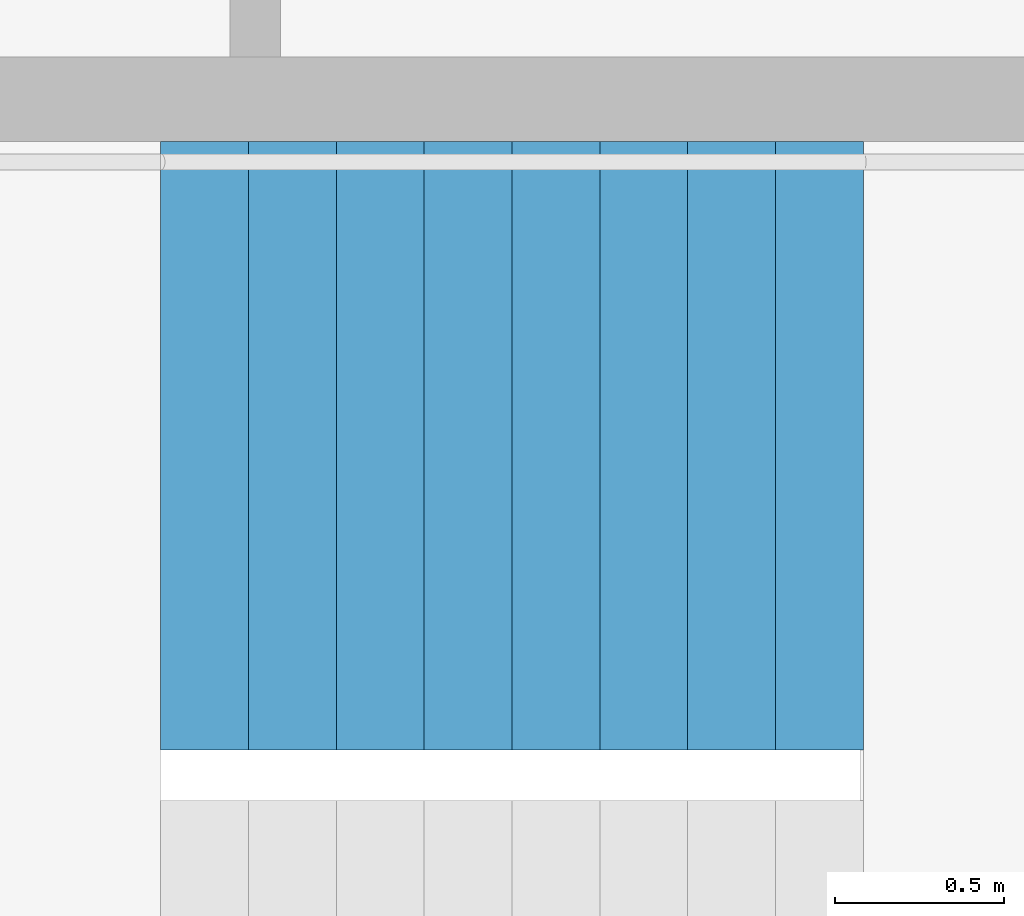
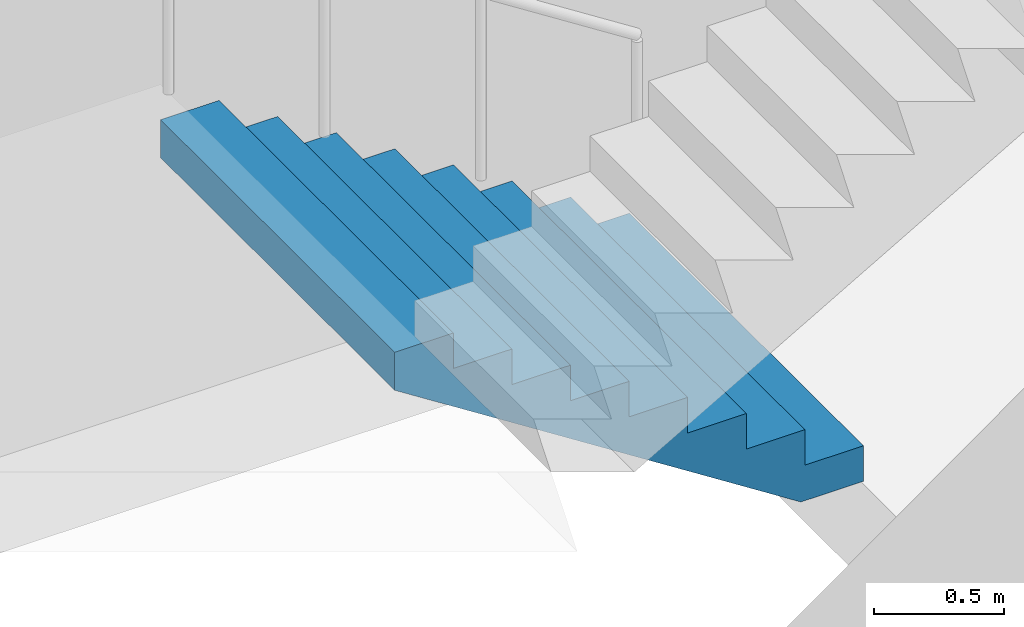
# One storey, part 20 of 35: 1 stair flight, 1 element without a shape of its own.
"""IFC4 building model written with IfcOpenShell, lengths in metres."""

import ifcopenshell
import ifcopenshell.guid

model = None  # the IFC model being written
_history = None  # IfcOwnerHistory: only IFC2X3 demands one
_inside = {}  # id of a spatial element -> (the spatial element, [elements in it])
_under = {}  # id of a project, library or spatial element -> (it, [spatial elements below it])
_declared = {}  # id of a project -> (the project, [libraries it declares])
_typed = {}  # id of a type object -> (the type object, [elements of that type])
_made_of = {}  # id of a material, layer set ... -> (it, [elements and type objects made of it])


def new_model(schema):
    """Start an empty IFC model of exactly this schema.

    Asked for "IFC4X3", IfcOpenShell would pick the latest addendum, in which some entities
    have other attributes; the version numbers below select the first issue.
    IFC2X3 requires an IfcOwnerHistory on every rooted entity: one is made here for all.
    """
    global model, _history
    if schema == "IFC4X3":
        model = ifcopenshell.file(schema_version=(4, 3, 0, 0))
    else:
        model = ifcopenshell.file(schema=schema)
    _inside.clear()
    _under.clear()
    _declared.clear()
    _typed.clear()
    _made_of.clear()
    _history = None
    if model.schema == "IFC2X3":
        org = make("IfcOrganization", Name="unknown")
        user = make(
            "IfcPersonAndOrganization",
            ThePerson=make("IfcPerson", FamilyName="unknown"),
            TheOrganization=org,
        )
        app = make(
            "IfcApplication",
            ApplicationDeveloper=org,
            Version="unknown",
            ApplicationFullName="unknown",
            ApplicationIdentifier="unknown",
        )
        _history = make(
            "IfcOwnerHistory",
            OwningUser=user,
            OwningApplication=app,
            ChangeAction="ADDED",
            CreationDate=0,
        )
    return model


def make(cls, **values):
    """One entity of the class cls with the attributes given. An attribute that is None is left unset."""
    return model.create_entity(
        cls, **{name: value for name, value in values.items() if value is not None}
    )


def rooted(cls, **values):
    """An entity with a GlobalId (a new one), such as an element, a storey or a relation."""
    return make(cls, GlobalId=ifcopenshell.guid.new(), OwnerHistory=_history, **values)


def si_unit(unit_type, name, prefix=None):
    """IfcSIUnit, for example si_unit("LENGTHUNIT", "METRE", prefix="MILLI")."""
    return make("IfcSIUnit", UnitType=unit_type, Prefix=prefix, Name=name)


def assignment(units):
    """IfcUnitAssignment: the units of a project."""
    return None if units is None else make("IfcUnitAssignment", Units=units)


def point(xyz):
    """IfcCartesianPoint."""
    return None if xyz is None else make("IfcCartesianPoint", Coordinates=xyz)


def direction(xyz):
    """IfcDirection."""
    return None if xyz is None else make("IfcDirection", DirectionRatios=xyz)


def frame(location, z_axis=None, x_axis=None):
    """IfcAxis2Placement3D, a coordinate frame: its origin and axes. An axis left out is left unset."""
    return make(
        "IfcAxis2Placement3D",
        Location=point(location),
        Axis=direction(z_axis),
        RefDirection=direction(x_axis),
    )


def origin():
    """The frame at (0, 0, 0) with its axes left unset."""
    return frame((0.0, 0.0, 0.0))


def place(relative_to, where):
    """IfcLocalPlacement: puts the frame where relative to a parent placement (None: the world)."""
    return make(
        "IfcLocalPlacement", PlacementRelTo=relative_to, RelativePlacement=where
    )


def context(
    kind, dimensions, precision=None, world=None, true_north=None, identifier=None
):
    """IfcGeometricRepresentationContext, for example the 3D "Model" context."""
    return make(
        "IfcGeometricRepresentationContext",
        ContextIdentifier=identifier,
        ContextType=kind,
        CoordinateSpaceDimension=dimensions,
        Precision=precision,
        WorldCoordinateSystem=world,
        TrueNorth=true_north,
    )


def subcontext(parent, identifier, kind, view, scale=None):
    """IfcGeometricRepresentationSubContext, for example "Body" below "Model"."""
    return make(
        "IfcGeometricRepresentationSubContext",
        ContextIdentifier=identifier,
        ContextType=kind,
        ParentContext=parent,
        TargetScale=scale,
        TargetView=view,
    )


def project(units=None, contexts=None):
    """IfcProject with its units and contexts."""
    return rooted(
        "IfcProject",
        Name="project",
        RepresentationContexts=contexts,
        UnitsInContext=assignment(units),
    )


def spatial(cls, under=None, at=None, **own):
    """A site, building, storey or space (cls), placed at a placement, below another one or the project."""
    s = rooted(cls, ObjectPlacement=at, **own)
    if under is not None:
        _under.setdefault(under.id(), (under, []))[1].append(s)
    return s


def point_list(points):
    """IfcCartesianPointList2D or 3D."""
    cls = (
        "IfcCartesianPointList2D" if len(points[0]) == 2 else "IfcCartesianPointList3D"
    )
    return make(cls, CoordList=points)


def triangles(points, corners, closed=None, point_numbers=None):
    """IfcTriangulatedFaceSet: each triangle names its three corners, points numbered from 1."""
    return make(
        "IfcTriangulatedFaceSet",
        Coordinates=point_list(points),
        Closed=closed,
        CoordIndex=corners,
        PnIndex=point_numbers,
    )


def shape(context_of_items, identifier, shape_type, items):
    """IfcShapeRepresentation: the items that make up one representation, for example the "Body"."""
    return make(
        "IfcShapeRepresentation",
        ContextOfItems=context_of_items,
        RepresentationIdentifier=identifier,
        RepresentationType=shape_type,
        Items=items,
    )


def material(Name=None, Category=None):
    """IfcMaterial."""
    return make("IfcMaterial", Name=Name, Category=Category)


def made_of(thing, what):
    """Note that an element or type object is made of a material, layer set ...; save() writes the relation."""
    if what is not None:
        _made_of.setdefault(what.id(), (what, []))[1].append(thing)
    return thing


def type_object(cls, material=None, **own):
    """A type object (cls), such as IfcWallType, which elements share."""
    return made_of(rooted(cls, **own), material)


def element(
    cls,
    number,
    at=None,
    inside=None,
    cuts=None,
    type_object=None,
    material=None,
    context=None,
    identifier="Body",
    shape_type=None,
    held_by="IfcProductDefinitionShape",
    body=None,
    shapes=None,
    **own,
):
    """One element of the class cls, such as IfcWall. Its Tag is "e" and its number.

    at: its placement. inside: the storey or other place that contains it. cuts: it is an
    opening in that element (IfcRelVoidsElement). A single representation is given by context,
    identifier, shape_type and body (its items); several are given by shapes. held_by: the class
    of the entity that holds the representations. save() writes the other relations.
    """
    e = rooted(cls, Tag="e%d" % number, ObjectPlacement=at, **own)
    if body is not None:
        shapes = [shape(context, identifier, shape_type, body)]
    if shapes is not None:
        e.Representation = make(held_by, Representations=shapes)
    if inside is not None:
        _inside.setdefault(inside.id(), (inside, []))[1].append(e)
    if cuts is not None:
        rooted(
            "IfcRelVoidsElement", RelatingBuildingElement=cuts, RelatedOpeningElement=e
        )
    if type_object is not None:
        _typed.setdefault(type_object.id(), (type_object, []))[1].append(e)
    return made_of(e, material)


def aggregate(whole, parts):
    """IfcRelAggregates: a whole, such as a stair, and the parts it consists of."""
    return rooted("IfcRelAggregates", RelatingObject=whole, RelatedObjects=parts)


def save(model, path):
    """Write the relations noted so far, then the file.

    IfcRelAggregates (storeys below a building ...), IfcRelContainedInSpatialStructure (elements
    in a storey), IfcRelDefinesByType, IfcRelAssociatesMaterial and IfcRelDeclares: one each for
    every whole, place, type object, material and project.
    """
    for whole, parts in _under.values():
        aggregate(whole, parts)
    for where, things in _inside.values():
        rooted(
            "IfcRelContainedInSpatialStructure",
            RelatedElements=things,
            RelatingStructure=where,
        )
    for kind, things in _typed.values():
        rooted("IfcRelDefinesByType", RelatedObjects=things, RelatingType=kind)
    for what, things in _made_of.values():
        rooted("IfcRelAssociatesMaterial", RelatedObjects=things, RelatingMaterial=what)
    for by, libraries in _declared.values():
        rooted("IfcRelDeclares", RelatingContext=by, RelatedDefinitions=libraries)
    model.write(path)


model = new_model("IFC4")

# Units and contexts
model_context = context("Model", 3, precision=1e-05, world=origin(), true_north=direction((0.0, 1.0)))
body_context = subcontext(model_context, "Body", "Model", "MODEL_VIEW")
ifc_project = project(units=[si_unit("LENGTHUNIT", "METRE"), si_unit("AREAUNIT", "SQUARE_METRE"), si_unit("VOLUMEUNIT", "CUBIC_METRE"), si_unit("PLANEANGLEUNIT", "RADIAN"), si_unit("MASSUNIT", "GRAM", prefix="KILO")], contexts=[model_context])

# Site, building, storey
site_placement = place(None, origin())
site = spatial("IfcSite", under=ifc_project, at=site_placement, CompositionType="ELEMENT")
building_placement = place(site_placement, origin())
building = spatial("IfcBuilding", under=site, at=building_placement, Name="Hakoniwa Tower and Hamabe Station Hall", CompositionType="ELEMENT")
storey_placement = place(building_placement, frame((0.0, 0.0, 270.60009765625)))
storey = spatial("IfcBuildingStorey", under=building, at=storey_placement, Name="L76", CompositionType="ELEMENT", Elevation=270.60009765625)

# Stair, stair flight
ifc_material_1 = material(Name="Concrete C40", Category="concrete")
stair_type = type_object("IfcStairType", Name="ESCAPE STAIR 1800", PredefinedType="HALF_TURN_STAIR", material=ifc_material_1)
stair_placement = place(storey_placement, origin())
stair = element("IfcStair", 1, at=stair_placement, inside=storey, type_object=stair_type, Name="Escape stair ST-2 L76", PredefinedType="HALF_TURN_STAIR")
ifc_material_2 = material(Name="Concrete C40", Category="concrete")
stair_flight_type = type_object("IfcStairFlightType", Name="STAIR FLIGHT 1800", PredefinedType="STRAIGHT", material=ifc_material_2)
stair_flight_placement = place(storey_placement, frame((-23.39990234375, -4.64990234375, 0.0), z_axis=(0.0, 0.0, 1.0), x_axis=(-1.0, 0.0, 0.0)))
stair_flight = element("IfcStairFlight", 2, at=stair_flight_placement, type_object=stair_flight_type, Name="ST-2 flight 1", NumberOfRisers=9, NumberOfTreads=8, PredefinedType="STRAIGHT", RiserHeight=0.166666667, TreadLength=0.26, context=body_context, shape_type="Tessellation", body=[
    triangles([(0.0, 0.89990234375, 0.0), (0.260009765625, 0.89990234375, 0.0), (0.27783203125, 0.89990234375, 0.0), (0.52001953125, 0.89990234375, 0.1552734375), (0.780029296875, 0.89990234375, 0.322021484375), (1.0400390625, 0.89990234375, 0.488525390625), (1.300048828125, 0.89990234375, 0.6552734375), (1.56005859375, 0.89990234375, 0.822021484375), (1.820068359375, 0.89990234375, 0.988525390625), (2.080078125, 0.89990234375, 1.1552734375), (2.080078125, 0.89990234375, 1.333251953125), (1.820068359375, 0.89990234375, 1.333251953125), (1.820068359375, 0.89990234375, 1.166748046875), (1.56005859375, 0.89990234375, 1.166748046875), (1.56005859375, 0.89990234375, 1.0), (1.300048828125, 0.89990234375, 1.0), (1.300048828125, 0.89990234375, 0.833251953125), (1.0400390625, 0.89990234375, 0.833251953125), (1.0400390625, 0.89990234375, 0.666748046875), (0.780029296875, 0.89990234375, 0.666748046875), (0.780029296875, 0.89990234375, 0.5), (0.52001953125, 0.89990234375, 0.5), (0.52001953125, 0.89990234375, 0.333251953125), (0.27783203125, 0.89990234375, 0.333251953125), (0.260009765625, 0.89990234375, 0.333251953125), (0.260009765625, 0.89990234375, 0.166748046875), (0.0, 0.89990234375, 0.166748046875), (0.0, 0.06005859375, 0.0), (0.260009765625, 0.06005859375, 0.0), (0.27783203125, 0.06005859375, 0.0), (0.52001953125, 0.06005859375, 0.1552734375), (0.780029296875, 0.06005859375, 0.322021484375), (1.0400390625, 0.06005859375, 0.488525390625), (1.300048828125, 0.06005859375, 0.6552734375), (1.56005859375, 0.06005859375, 0.822021484375), (1.820068359375, 0.06005859375, 0.988525390625), (2.080078125, 0.06005859375, 1.1552734375), (2.080078125, 0.06005859375, 1.333251953125), (1.820068359375, 0.06005859375, 1.333251953125), (1.820068359375, 0.06005859375, 1.166748046875), (1.56005859375, 0.06005859375, 1.166748046875), (1.56005859375, 0.06005859375, 1.0), (1.300048828125, 0.06005859375, 1.0), (1.300048828125, 0.06005859375, 0.833251953125), (1.0400390625, 0.06005859375, 0.833251953125), (1.0400390625, 0.06005859375, 0.666748046875), (0.780029296875, 0.06005859375, 0.666748046875), (0.780029296875, 0.06005859375, 0.5), (0.52001953125, 0.06005859375, 0.5), (0.52001953125, 0.06005859375, 0.333251953125), (0.27783203125, 0.06005859375, 0.333251953125), (0.260009765625, 0.06005859375, 0.333251953125), (0.260009765625, 0.06005859375, 0.166748046875), (0.0, 0.06005859375, 0.166748046875), (0.0, 0.04296875, 0.0), (0.260009765625, 0.04296875, 0.0), (0.27783203125, 0.04296875, 0.0), (0.52001953125, 0.04296875, 0.1552734375), (0.780029296875, 0.04296875, 0.322021484375), (1.0400390625, 0.04296875, 0.488525390625), (1.300048828125, 0.04296875, 0.6552734375), (1.56005859375, 0.04296875, 0.822021484375), (1.820068359375, 0.04296875, 0.988525390625), (2.080078125, 0.04296875, 1.1552734375), (2.080078125, 0.04296875, 1.333251953125), (1.820068359375, 0.04296875, 1.333251953125), (1.820068359375, 0.04296875, 1.166748046875), (1.56005859375, 0.04296875, 1.166748046875), (1.56005859375, 0.04296875, 1.0), (1.300048828125, 0.04296875, 1.0), (1.300048828125, 0.04296875, 0.833251953125), (1.0400390625, 0.04296875, 0.833251953125), (1.0400390625, 0.04296875, 0.666748046875), (0.780029296875, 0.04296875, 0.666748046875), (0.780029296875, 0.04296875, 0.5), (0.52001953125, 0.04296875, 0.5), (0.52001953125, 0.04296875, 0.333251953125), (0.27783203125, 0.04296875, 0.333251953125), (0.260009765625, 0.04296875, 0.333251953125), (0.260009765625, 0.04296875, 0.166748046875), (0.0, 0.04296875, 0.166748046875), (0.0, 0.025634765625, 0.0), (0.260009765625, 0.025634765625, 0.0), (0.27783203125, 0.025634765625, 0.0), (0.52001953125, 0.025634765625, 0.1552734375), (0.780029296875, 0.025634765625, 0.322021484375), (1.0400390625, 0.025634765625, 0.488525390625), (1.300048828125, 0.025634765625, 0.6552734375), (1.56005859375, 0.025634765625, 0.822021484375), (1.820068359375, 0.025634765625, 0.988525390625), (2.080078125, 0.025634765625, 1.1552734375), (2.080078125, 0.025634765625, 1.333251953125), (1.820068359375, 0.025634765625, 1.333251953125), (1.820068359375, 0.025634765625, 1.166748046875), (1.56005859375, 0.025634765625, 1.166748046875), (1.56005859375, 0.025634765625, 1.0), (1.300048828125, 0.025634765625, 1.0), (1.300048828125, 0.025634765625, 0.833251953125), (1.0400390625, 0.025634765625, 0.833251953125), (1.0400390625, 0.025634765625, 0.666748046875), (0.780029296875, 0.025634765625, 0.666748046875), (0.780029296875, 0.025634765625, 0.5), (0.52001953125, 0.025634765625, 0.5), (0.52001953125, 0.025634765625, 0.333251953125), (0.27783203125, 0.025634765625, 0.333251953125), (0.260009765625, 0.025634765625, 0.333251953125), (0.260009765625, 0.025634765625, 0.166748046875), (0.0, 0.025634765625, 0.166748046875), (0.0, 0.008544921875, 0.0), (0.260009765625, 0.008544921875, 0.0), (0.27783203125, 0.008544921875, 0.0), (0.52001953125, 0.008544921875, 0.1552734375), (0.780029296875, 0.008544921875, 0.322021484375), (1.0400390625, 0.008544921875, 0.488525390625), (1.300048828125, 0.008544921875, 0.6552734375), (1.56005859375, 0.008544921875, 0.822021484375), (1.820068359375, 0.008544921875, 0.988525390625), (2.080078125, 0.008544921875, 1.1552734375), (2.080078125, 0.008544921875, 1.333251953125), (1.820068359375, 0.008544921875, 1.333251953125), (1.820068359375, 0.008544921875, 1.166748046875), (1.56005859375, 0.008544921875, 1.166748046875), (1.56005859375, 0.008544921875, 1.0), (1.300048828125, 0.008544921875, 1.0), (1.300048828125, 0.008544921875, 0.833251953125), (1.0400390625, 0.008544921875, 0.833251953125), (1.0400390625, 0.008544921875, 0.666748046875), (0.780029296875, 0.008544921875, 0.666748046875), (0.780029296875, 0.008544921875, 0.5), (0.52001953125, 0.008544921875, 0.5), (0.52001953125, 0.008544921875, 0.333251953125), (0.27783203125, 0.008544921875, 0.333251953125), (0.260009765625, 0.008544921875, 0.333251953125), (0.260009765625, 0.008544921875, 0.166748046875), (0.0, 0.008544921875, 0.166748046875), (0.0, -0.008544921875, 0.0), (0.260009765625, -0.008544921875, 0.0), (0.27783203125, -0.008544921875, 0.0), (0.52001953125, -0.008544921875, 0.1552734375), (0.780029296875, -0.008544921875, 0.322021484375), (1.0400390625, -0.008544921875, 0.488525390625), (1.300048828125, -0.008544921875, 0.6552734375), (1.56005859375, -0.008544921875, 0.822021484375), (1.820068359375, -0.008544921875, 0.988525390625), (2.080078125, -0.008544921875, 1.1552734375), (2.080078125, -0.008544921875, 1.333251953125), (1.820068359375, -0.008544921875, 1.333251953125), (1.820068359375, -0.008544921875, 1.166748046875), (1.56005859375, -0.008544921875, 1.166748046875), (1.56005859375, -0.008544921875, 1.0), (1.300048828125, -0.008544921875, 1.0), (1.300048828125, -0.008544921875, 0.833251953125), (1.0400390625, -0.008544921875, 0.833251953125), (1.0400390625, -0.008544921875, 0.666748046875), (0.780029296875, -0.008544921875, 0.666748046875), (0.780029296875, -0.008544921875, 0.5), (0.52001953125, -0.008544921875, 0.5), (0.52001953125, -0.008544921875, 0.333251953125), (0.27783203125, -0.008544921875, 0.333251953125), (0.260009765625, -0.008544921875, 0.333251953125), (0.260009765625, -0.008544921875, 0.166748046875), (0.0, -0.008544921875, 0.166748046875), (0.0, -0.025634765625, 0.0), (0.260009765625, -0.025634765625, 0.0), (0.27783203125, -0.025634765625, 0.0), (0.52001953125, -0.025634765625, 0.1552734375), (0.780029296875, -0.025634765625, 0.322021484375), (1.0400390625, -0.025634765625, 0.488525390625), (1.300048828125, -0.025634765625, 0.6552734375), (1.56005859375, -0.025634765625, 0.822021484375), (1.820068359375, -0.025634765625, 0.988525390625), (2.080078125, -0.025634765625, 1.1552734375), (2.080078125, -0.025634765625, 1.333251953125), (1.820068359375, -0.025634765625, 1.333251953125), (1.820068359375, -0.025634765625, 1.166748046875), (1.56005859375, -0.025634765625, 1.166748046875), (1.56005859375, -0.025634765625, 1.0), (1.300048828125, -0.025634765625, 1.0), (1.300048828125, -0.025634765625, 0.833251953125), (1.0400390625, -0.025634765625, 0.833251953125), (1.0400390625, -0.025634765625, 0.666748046875), (0.780029296875, -0.025634765625, 0.666748046875), (0.780029296875, -0.025634765625, 0.5), (0.52001953125, -0.025634765625, 0.5), (0.52001953125, -0.025634765625, 0.333251953125), (0.27783203125, -0.025634765625, 0.333251953125), (0.260009765625, -0.025634765625, 0.333251953125), (0.260009765625, -0.025634765625, 0.166748046875), (0.0, -0.025634765625, 0.166748046875), (0.0, -0.04296875, 0.0), (0.260009765625, -0.04296875, 0.0), (0.27783203125, -0.04296875, 0.0), (0.52001953125, -0.04296875, 0.1552734375), (0.780029296875, -0.04296875, 0.322021484375), (1.0400390625, -0.04296875, 0.488525390625), (1.300048828125, -0.04296875, 0.6552734375), (1.56005859375, -0.04296875, 0.822021484375), (1.820068359375, -0.04296875, 0.988525390625), (2.080078125, -0.04296875, 1.1552734375), (2.080078125, -0.04296875, 1.333251953125), (1.820068359375, -0.04296875, 1.333251953125), (1.820068359375, -0.04296875, 1.166748046875), (1.56005859375, -0.04296875, 1.166748046875), (1.56005859375, -0.04296875, 1.0), (1.300048828125, -0.04296875, 1.0), (1.300048828125, -0.04296875, 0.833251953125), (1.0400390625, -0.04296875, 0.833251953125), (1.0400390625, -0.04296875, 0.666748046875), (0.780029296875, -0.04296875, 0.666748046875), (0.780029296875, -0.04296875, 0.5), (0.52001953125, -0.04296875, 0.5), (0.52001953125, -0.04296875, 0.333251953125), (0.27783203125, -0.04296875, 0.333251953125), (0.260009765625, -0.04296875, 0.333251953125), (0.260009765625, -0.04296875, 0.166748046875), (0.0, -0.04296875, 0.166748046875), (0.0, -0.06005859375, 0.0), (0.260009765625, -0.06005859375, 0.0), (0.27783203125, -0.06005859375, 0.0), (0.52001953125, -0.06005859375, 0.1552734375), (0.780029296875, -0.06005859375, 0.322021484375), (1.0400390625, -0.06005859375, 0.488525390625), (1.300048828125, -0.06005859375, 0.6552734375), (1.56005859375, -0.06005859375, 0.822021484375), (1.820068359375, -0.06005859375, 0.988525390625), (2.080078125, -0.06005859375, 1.1552734375), (2.080078125, -0.06005859375, 1.333251953125), (1.820068359375, -0.06005859375, 1.333251953125), (1.820068359375, -0.06005859375, 1.166748046875), (1.56005859375, -0.06005859375, 1.166748046875), (1.56005859375, -0.06005859375, 1.0), (1.300048828125, -0.06005859375, 1.0), (1.300048828125, -0.06005859375, 0.833251953125), (1.0400390625, -0.06005859375, 0.833251953125), (1.0400390625, -0.06005859375, 0.666748046875), (0.780029296875, -0.06005859375, 0.666748046875), (0.780029296875, -0.06005859375, 0.5), (0.52001953125, -0.06005859375, 0.5), (0.52001953125, -0.06005859375, 0.333251953125), (0.27783203125, -0.06005859375, 0.333251953125), (0.260009765625, -0.06005859375, 0.333251953125), (0.260009765625, -0.06005859375, 0.166748046875), (0.0, -0.06005859375, 0.166748046875), (0.0, -0.89990234375, 0.0), (0.260009765625, -0.89990234375, 0.0), (0.27783203125, -0.89990234375, 0.0), (0.52001953125, -0.89990234375, 0.1552734375), (0.780029296875, -0.89990234375, 0.322021484375), (1.0400390625, -0.89990234375, 0.488525390625), (1.300048828125, -0.89990234375, 0.6552734375), (1.56005859375, -0.89990234375, 0.822021484375), (1.820068359375, -0.89990234375, 0.988525390625), (2.080078125, -0.89990234375, 1.1552734375), (2.080078125, -0.89990234375, 1.333251953125), (1.820068359375, -0.89990234375, 1.333251953125), (1.820068359375, -0.89990234375, 1.166748046875), (1.56005859375, -0.89990234375, 1.166748046875), (1.56005859375, -0.89990234375, 1.0), (1.300048828125, -0.89990234375, 1.0), (1.300048828125, -0.89990234375, 0.833251953125), (1.0400390625, -0.89990234375, 0.833251953125), (1.0400390625, -0.89990234375, 0.666748046875), (0.780029296875, -0.89990234375, 0.666748046875), (0.780029296875, -0.89990234375, 0.5), (0.52001953125, -0.89990234375, 0.5), (0.52001953125, -0.89990234375, 0.333251953125), (0.27783203125, -0.89990234375, 0.333251953125), (0.260009765625, -0.89990234375, 0.333251953125), (0.260009765625, -0.89990234375, 0.166748046875), (0.0, -0.89990234375, 0.166748046875)], [[2, 27, 26], [245, 269, 270], [2, 1, 27], [245, 270, 244], [3, 25, 24], [246, 267, 268], [3, 26, 25], [246, 268, 269], [3, 2, 26], [246, 269, 245], [4, 24, 23], [247, 266, 267], [4, 3, 24], [247, 267, 246], [5, 22, 21], [248, 264, 265], [5, 23, 22], [248, 265, 266], [5, 4, 23], [248, 266, 247], [6, 20, 19], [249, 262, 263], [6, 21, 20], [249, 263, 264], [6, 5, 21], [249, 264, 248], [7, 18, 17], [250, 260, 261], [7, 19, 18], [250, 261, 262], [7, 6, 19], [250, 262, 249], [8, 16, 15], [251, 258, 259], [8, 17, 16], [251, 259, 260], [8, 7, 17], [251, 260, 250], [9, 14, 13], [252, 256, 257], [9, 15, 14], [252, 257, 258], [9, 8, 15], [252, 258, 251], [10, 12, 11], [253, 254, 255], [10, 13, 12], [253, 255, 256], [10, 9, 13], [253, 256, 252], [1, 2, 29], [1, 29, 28], [28, 29, 56], [28, 56, 55], [55, 56, 83], [55, 83, 82], [82, 83, 110], [82, 110, 109], [109, 110, 137], [109, 137, 136], [136, 137, 164], [136, 164, 163], [163, 164, 191], [163, 191, 190], [190, 191, 218], [190, 218, 217], [217, 218, 245], [217, 245, 244], [2, 3, 30], [2, 30, 29], [29, 30, 57], [29, 57, 56], [56, 57, 84], [56, 84, 83], [83, 84, 111], [83, 111, 110], [110, 111, 138], [110, 138, 137], [137, 138, 165], [137, 165, 164], [164, 165, 192], [164, 192, 191], [191, 192, 219], [191, 219, 218], [218, 219, 246], [218, 246, 245], [3, 4, 31], [3, 31, 30], [30, 31, 58], [30, 58, 57], [57, 58, 85], [57, 85, 84], [84, 85, 112], [84, 112, 111], [111, 112, 139], [111, 139, 138], [138, 139, 166], [138, 166, 165], [165, 166, 193], [165, 193, 192], [192, 193, 220], [192, 220, 219], [219, 220, 247], [219, 247, 246], [4, 5, 32], [4, 32, 31], [31, 32, 59], [31, 59, 58], [58, 59, 86], [58, 86, 85], [85, 86, 113], [85, 113, 112], [112, 113, 140], [112, 140, 139], [139, 140, 167], [139, 167, 166], [166, 167, 194], [166, 194, 193], [193, 194, 221], [193, 221, 220], [220, 221, 248], [220, 248, 247], [5, 6, 33], [5, 33, 32], [32, 33, 60], [32, 60, 59], [59, 60, 87], [59, 87, 86], [86, 87, 114], [86, 114, 113], [113, 114, 141], [113, 141, 140], [140, 141, 168], [140, 168, 167], [167, 168, 195], [167, 195, 194], [194, 195, 222], [194, 222, 221], [221, 222, 249], [221, 249, 248], [6, 7, 34], [6, 34, 33], [33, 34, 61], [33, 61, 60], [60, 61, 88], [60, 88, 87], [87, 88, 115], [87, 115, 114], [114, 115, 142], [114, 142, 141], [141, 142, 169], [141, 169, 168], [168, 169, 196], [168, 196, 195], [195, 196, 223], [195, 223, 222], [222, 223, 250], [222, 250, 249], [7, 8, 35], [7, 35, 34], [34, 35, 62], [34, 62, 61], [61, 62, 89], [61, 89, 88], [88, 89, 116], [88, 116, 115], [115, 116, 143], [115, 143, 142], [142, 143, 170], [142, 170, 169], [169, 170, 197], [169, 197, 196], [196, 197, 224], [196, 224, 223], [223, 224, 251], [223, 251, 250], [8, 9, 36], [8, 36, 35], [35, 36, 63], [35, 63, 62], [62, 63, 90], [62, 90, 89], [89, 90, 117], [89, 117, 116], [116, 117, 144], [116, 144, 143], [143, 144, 171], [143, 171, 170], [170, 171, 198], [170, 198, 197], [197, 198, 225], [197, 225, 224], [224, 225, 252], [224, 252, 251], [9, 10, 37], [9, 37, 36], [36, 37, 64], [36, 64, 63], [63, 64, 91], [63, 91, 90], [90, 91, 118], [90, 118, 117], [117, 118, 145], [117, 145, 144], [144, 145, 172], [144, 172, 171], [171, 172, 199], [171, 199, 198], [198, 199, 226], [198, 226, 225], [225, 226, 253], [225, 253, 252], [10, 11, 38], [10, 38, 37], [37, 38, 65], [37, 65, 64], [64, 65, 92], [64, 92, 91], [91, 92, 119], [91, 119, 118], [118, 119, 146], [118, 146, 145], [145, 146, 173], [145, 173, 172], [172, 173, 200], [172, 200, 199], [199, 200, 227], [199, 227, 226], [226, 227, 254], [226, 254, 253], [11, 12, 39], [11, 39, 38], [38, 39, 66], [38, 66, 65], [65, 66, 93], [65, 93, 92], [92, 93, 120], [92, 120, 119], [119, 120, 147], [119, 147, 146], [146, 147, 174], [146, 174, 173], [173, 174, 201], [173, 201, 200], [200, 201, 228], [200, 228, 227], [227, 228, 255], [227, 255, 254], [12, 13, 40], [12, 40, 39], [39, 40, 67], [39, 67, 66], [66, 67, 94], [66, 94, 93], [93, 94, 121], [93, 121, 120], [120, 121, 148], [120, 148, 147], [147, 148, 175], [147, 175, 174], [174, 175, 202], [174, 202, 201], [201, 202, 229], [201, 229, 228], [228, 229, 256], [228, 256, 255], [13, 14, 41], [13, 41, 40], [40, 41, 68], [40, 68, 67], [67, 68, 95], [67, 95, 94], [94, 95, 122], [94, 122, 121], [121, 122, 149], [121, 149, 148], [148, 149, 176], [148, 176, 175], [175, 176, 203], [175, 203, 202], [202, 203, 230], [202, 230, 229], [229, 230, 257], [229, 257, 256], [14, 15, 42], [14, 42, 41], [41, 42, 69], [41, 69, 68], [68, 69, 96], [68, 96, 95], [95, 96, 123], [95, 123, 122], [122, 123, 150], [122, 150, 149], [149, 150, 177], [149, 177, 176], [176, 177, 204], [176, 204, 203], [203, 204, 231], [203, 231, 230], [230, 231, 258], [230, 258, 257], [15, 16, 43], [15, 43, 42], [42, 43, 70], [42, 70, 69], [69, 70, 97], [69, 97, 96], [96, 97, 124], [96, 124, 123], [123, 124, 151], [123, 151, 150], [150, 151, 178], [150, 178, 177], [177, 178, 205], [177, 205, 204], [204, 205, 232], [204, 232, 231], [231, 232, 259], [231, 259, 258], [16, 17, 44], [16, 44, 43], [43, 44, 71], [43, 71, 70], [70, 71, 98], [70, 98, 97], [97, 98, 125], [97, 125, 124], [124, 125, 152], [124, 152, 151], [151, 152, 179], [151, 179, 178], [178, 179, 206], [178, 206, 205], [205, 206, 233], [205, 233, 232], [232, 233, 260], [232, 260, 259], [17, 18, 45], [17, 45, 44], [44, 45, 72], [44, 72, 71], [71, 72, 99], [71, 99, 98], [98, 99, 126], [98, 126, 125], [125, 126, 153], [125, 153, 152], [152, 153, 180], [152, 180, 179], [179, 180, 207], [179, 207, 206], [206, 207, 234], [206, 234, 233], [233, 234, 261], [233, 261, 260], [18, 19, 46], [18, 46, 45], [45, 46, 73], [45, 73, 72], [72, 73, 100], [72, 100, 99], [99, 100, 127], [99, 127, 126], [126, 127, 154], [126, 154, 153], [153, 154, 181], [153, 181, 180], [180, 181, 208], [180, 208, 207], [207, 208, 235], [207, 235, 234], [234, 235, 262], [234, 262, 261], [19, 20, 47], [19, 47, 46], [46, 47, 74], [46, 74, 73], [73, 74, 101], [73, 101, 100], [100, 101, 128], [100, 128, 127], [127, 128, 155], [127, 155, 154], [154, 155, 182], [154, 182, 181], [181, 182, 209], [181, 209, 208], [208, 209, 236], [208, 236, 235], [235, 236, 263], [235, 263, 262], [20, 21, 48], [20, 48, 47], [47, 48, 75], [47, 75, 74], [74, 75, 102], [74, 102, 101], [101, 102, 129], [101, 129, 128], [128, 129, 156], [128, 156, 155], [155, 156, 183], [155, 183, 182], [182, 183, 210], [182, 210, 209], [209, 210, 237], [209, 237, 236], [236, 237, 264], [236, 264, 263], [21, 22, 49], [21, 49, 48], [48, 49, 76], [48, 76, 75], [75, 76, 103], [75, 103, 102], [102, 103, 130], [102, 130, 129], [129, 130, 157], [129, 157, 156], [156, 157, 184], [156, 184, 183], [183, 184, 211], [183, 211, 210], [210, 211, 238], [210, 238, 237], [237, 238, 265], [237, 265, 264], [22, 23, 50], [22, 50, 49], [49, 50, 77], [49, 77, 76], [76, 77, 104], [76, 104, 103], [103, 104, 131], [103, 131, 130], [130, 131, 158], [130, 158, 157], [157, 158, 185], [157, 185, 184], [184, 185, 212], [184, 212, 211], [211, 212, 239], [211, 239, 238], [238, 239, 266], [238, 266, 265], [23, 24, 51], [23, 51, 50], [50, 51, 78], [50, 78, 77], [77, 78, 105], [77, 105, 104], [104, 105, 132], [104, 132, 131], [131, 132, 159], [131, 159, 158], [158, 159, 186], [158, 186, 185], [185, 186, 213], [185, 213, 212], [212, 213, 240], [212, 240, 239], [239, 240, 267], [239, 267, 266], [24, 25, 52], [24, 52, 51], [51, 52, 79], [51, 79, 78], [78, 79, 106], [78, 106, 105], [105, 106, 133], [105, 133, 132], [132, 133, 160], [132, 160, 159], [159, 160, 187], [159, 187, 186], [186, 187, 214], [186, 214, 213], [213, 214, 241], [213, 241, 240], [240, 241, 268], [240, 268, 267], [25, 26, 53], [25, 53, 52], [52, 53, 80], [52, 80, 79], [79, 80, 107], [79, 107, 106], [106, 107, 134], [106, 134, 133], [133, 134, 161], [133, 161, 160], [160, 161, 188], [160, 188, 187], [187, 188, 215], [187, 215, 214], [214, 215, 242], [214, 242, 241], [241, 242, 269], [241, 269, 268], [26, 27, 54], [26, 54, 53], [53, 54, 81], [53, 81, 80], [80, 81, 108], [80, 108, 107], [107, 108, 135], [107, 135, 134], [134, 135, 162], [134, 162, 161], [161, 162, 189], [161, 189, 188], [188, 189, 216], [188, 216, 215], [215, 216, 243], [215, 243, 242], [242, 243, 270], [242, 270, 269], [27, 1, 28], [27, 28, 54], [54, 28, 55], [54, 55, 81], [81, 55, 82], [81, 82, 108], [108, 82, 109], [108, 109, 135], [135, 109, 136], [135, 136, 162], [162, 136, 163], [162, 163, 189], [189, 163, 190], [189, 190, 216], [216, 190, 217], [216, 217, 243], [243, 217, 244], [243, 244, 270]], closed=True),
])
aggregate(stair, [stair_flight])

save(model, "model.ifc")
